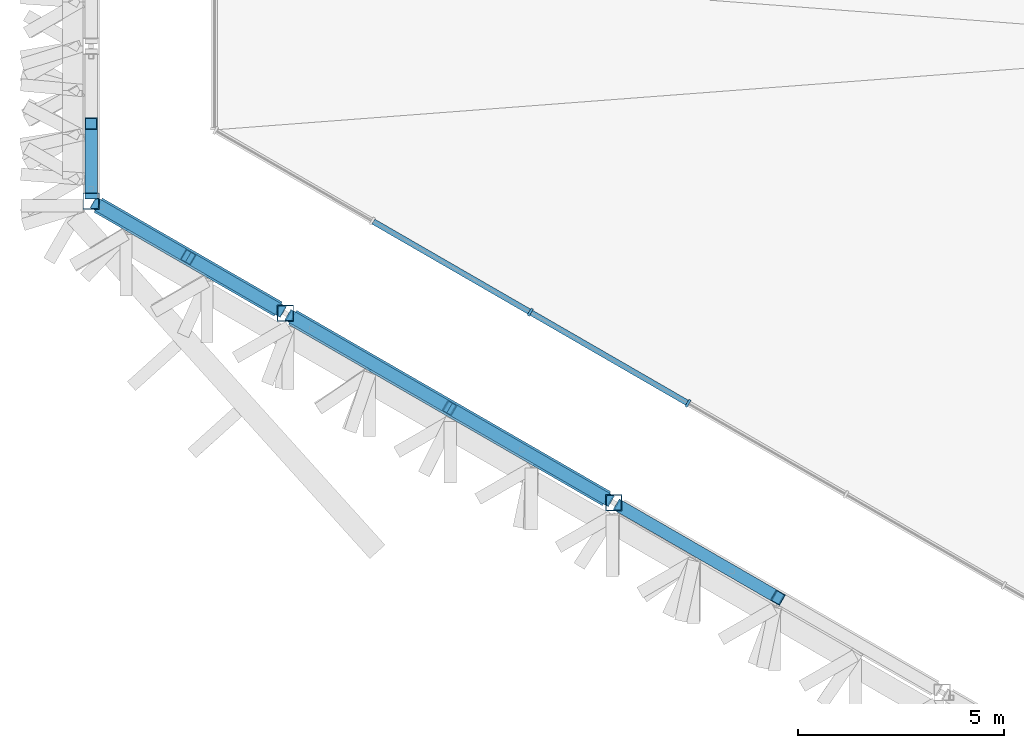
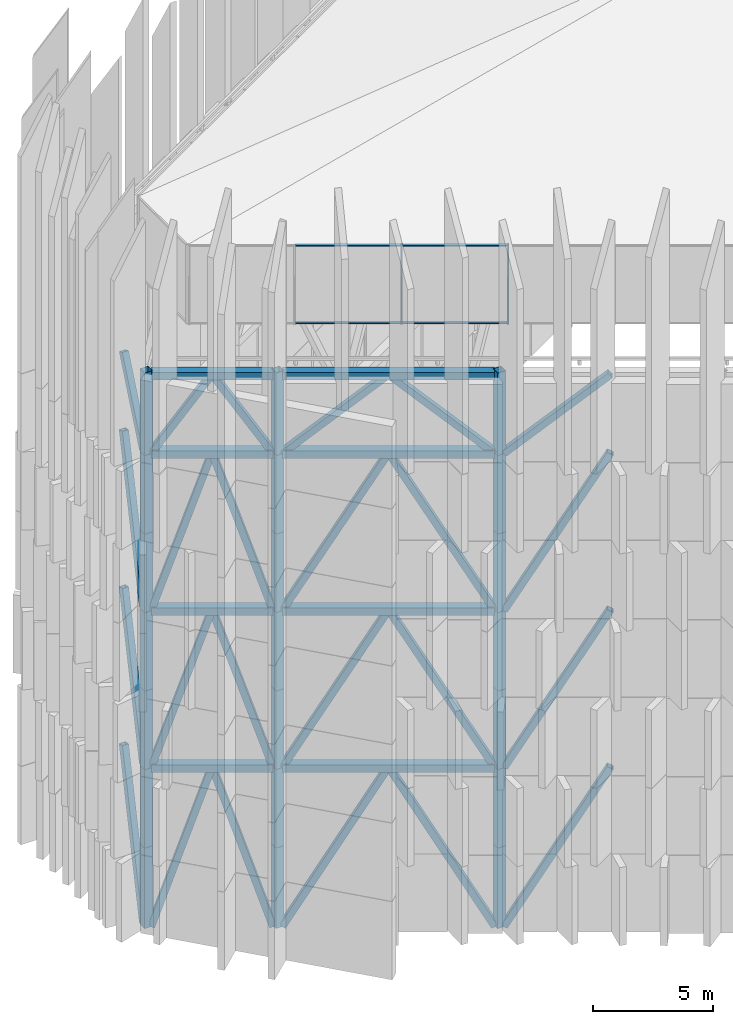
# One storey, part 3 of 45: 59 members, 1 element without a shape of its own.
"""IFC4 building model written with IfcOpenShell, lengths in metres."""

from ifc_helpers import new_model, si_unit, direction, frame, origin, origin_2d, place, context, subcontext, project, spatial, rectangle, hollow_rectangle, extrude, material, layer, layer_set, material_profile, profile_set, type_object, element, aggregate, save


model = new_model("IFC4")

# Units and contexts
model_context = context("Model", 3, precision=1e-05, world=origin(), true_north=direction((0.0, 1.0)))
body_context = subcontext(model_context, "Body", "Model", "MODEL_VIEW")
ifc_project = project(units=[si_unit("LENGTHUNIT", "METRE"), si_unit("AREAUNIT", "SQUARE_METRE"), si_unit("VOLUMEUNIT", "CUBIC_METRE"), si_unit("PLANEANGLEUNIT", "RADIAN"), si_unit("MASSUNIT", "GRAM", prefix="KILO")], contexts=[model_context])

# Site, building, storey
site_placement = place(None, origin())
site = spatial("IfcSite", under=ifc_project, at=site_placement, CompositionType="ELEMENT")
building_placement = place(site_placement, origin())
building = spatial("IfcBuilding", under=site, at=building_placement, Name="Jabali Bay Hotel Tower and Convention Centre", CompositionType="ELEMENT")
storey_placement = place(building_placement, frame((0.0, 0.0, 322.39990234375)))
storey = spatial("IfcBuildingStorey", under=building, at=storey_placement, Name="Crown", CompositionType="ELEMENT", Elevation=322.39990234375)

# Curtain wall, members
ifc_material_1 = material(Name="Aluminium and glass", Category="aluminium")
ifc_layer = layer(ifc_material_1, 0.199951171875)
ifc_layer_set = layer_set([ifc_layer], Name="Aluminium and glass")
curtain_wall_type = type_object("IfcCurtainWallType", Name="CW6 curtain wall", PredefinedType="NOTDEFINED", material=ifc_layer_set)
curtain_wall_placement = place(storey_placement, origin())
curtain_wall = element("IfcCurtainWall", 1, at=curtain_wall_placement, inside=storey, type_object=curtain_wall_type, Name="CW6 lantern glazing 5", PredefinedType="NOTDEFINED")
ifc_material_2 = material(Name="Aluminium", Category="aluminium")
ifc_material_profile_1 = material_profile(ifc_material_2, rectangle(XDim=0.199951171875, YDim=0.06005859375, at=origin_2d()), Name="CW6 mullion 60 x 200")
ifc_profile_set_1 = profile_set([ifc_material_profile_1], Name="Aluminium")
member_type_1 = type_object("IfcMemberType", Name="CW6 mullion 60 x 200", PredefinedType="MULLION", material=ifc_profile_set_1)
member_1_placement = place(storey_placement, frame((55.90576171875, 73.53173828125, 28.35009765625), z_axis=(0.0, 0.0, 1.0), x_axis=(0.500000005124, 0.866025400826, 0.0)))
member_1 = element("IfcMember", 2, at=member_1_placement, type_object=member_type_1, Name="CW6 mullion 3", PredefinedType="MULLION", context=body_context, shape_type="SweptSolid", body=[
    extrude(rectangle(XDim=0.199951171875, YDim=0.06005859375, at=origin_2d()), origin(), (0.0, 0.0, 1.0), 4.0),
])
member_2_placement = place(storey_placement, frame((59.74560546875, 71.314697265625, 28.35009765625), z_axis=(0.0, 0.0, 1.0), x_axis=(0.500000005124, 0.866025400826, 0.0)))
member_2 = element("IfcMember", 3, at=member_2_placement, type_object=member_type_1, Name="CW6 mullion 4", PredefinedType="MULLION", context=body_context, shape_type="SweptSolid", body=[
    extrude(rectangle(XDim=0.199951171875, YDim=0.06005859375, at=origin_2d()), origin(), (0.0, 0.0, 1.0), 4.0),
])
ifc_material_profile_2 = material_profile(ifc_material_2, rectangle(XDim=0.139892578125, YDim=0.06005859375, at=origin_2d()), Name="CW6 transom 60 x 140")
ifc_profile_set_2 = profile_set([ifc_material_profile_2], Name="Aluminium")
member_type_2 = type_object("IfcMemberType", Name="CW6 transom 60 x 140", PredefinedType="USERDEFINED", material=ifc_profile_set_2)
member_3_placement = place(storey_placement, frame((52.091796875, 75.733642578125, 28.380126953125), z_axis=(0.866053602686, -0.499951154889, 0.0), x_axis=(0.499951154889, 0.866053602686, 0.0)))
member_3 = element("IfcMember", 4, at=member_3_placement, type_object=member_type_2, Name="CW6 transom 2.1", ObjectType="TRANSOM", PredefinedType="USERDEFINED", context=body_context, shape_type="SweptSolid", body=[
    extrude(rectangle(XDim=0.139892578125, YDim=0.06005859375, at=origin_2d()), origin(), (0.0, 0.0, 1.0), 4.3740234375),
])
member_4_placement = place(storey_placement, frame((52.091796875, 75.733642578125, 32.320068359375), z_axis=(0.866053602686, -0.499951154889, 0.0), x_axis=(0.499951154889, 0.866053602686, 0.0)))
member_4 = element("IfcMember", 5, at=member_4_placement, type_object=member_type_2, Name="CW6 transom 2.2", ObjectType="TRANSOM", PredefinedType="USERDEFINED", context=body_context, shape_type="SweptSolid", body=[
    extrude(rectangle(XDim=0.139892578125, YDim=0.06005859375, at=origin_2d()), origin(), (0.0, 0.0, 1.0), 4.3740234375),
])
member_5_placement = place(storey_placement, frame((55.931884765625, 73.516845703125, 28.380126953125), z_axis=(0.866015480101, -0.500017187931, 0.0), x_axis=(0.500017187931, 0.866015480101, 0.0)))
member_5 = element("IfcMember", 6, at=member_5_placement, type_object=member_type_2, Name="CW6 transom 3.1", ObjectType="TRANSOM", PredefinedType="USERDEFINED", context=body_context, shape_type="SweptSolid", body=[
    extrude(rectangle(XDim=0.139892578125, YDim=0.06005859375, at=origin_2d()), origin(), (0.0, 0.0, 1.0), 4.373779296875),
])
member_6_placement = place(storey_placement, frame((55.931884765625, 73.516845703125, 32.320068359375), z_axis=(0.866015480101, -0.500017187931, 0.0), x_axis=(0.500017187931, 0.866015480101, 0.0)))
member_6 = element("IfcMember", 7, at=member_6_placement, type_object=member_type_2, Name="CW6 transom 3.2", ObjectType="TRANSOM", PredefinedType="USERDEFINED", context=body_context, shape_type="SweptSolid", body=[
    extrude(rectangle(XDim=0.139892578125, YDim=0.06005859375, at=origin_2d()), origin(), (0.0, 0.0, 1.0), 4.373779296875),
])
aggregate(curtain_wall, [member_1, member_2, member_3, member_4, member_5, member_6])

# Members
ifc_material_3 = material(Name="Steel Q420GJC", Category="steel")
ifc_material_profile_3 = material_profile(ifc_material_3, hollow_rectangle(XDim=0.300048828125, YDim=0.300048828125, WallThickness=0.01611328125, at=origin_2d()), Name="Crown frame brace 300x300x16")
ifc_profile_set_3 = profile_set([ifc_material_profile_3], Name="Steel Q420GJC")
member_type_3 = type_object("IfcMemberType", Name="Crown frame brace 300x300x16", PredefinedType="USERDEFINED", material=ifc_profile_set_3)
member_7_placement = place(storey_placement, frame((45.225830078125, 76.43359375, -0.099853515625), z_axis=(0.0, 0.204167092967, 0.978936054168), x_axis=(-1.0, 0.0, 0.0)))
element("IfcMember", 8, at=member_7_placement, inside=storey, type_object=member_type_3, Name="Crown brace 1 M0-V4r", ObjectType="CROWN FRAME", PredefinedType="USERDEFINED", context=body_context, shape_type="SweptSolid", body=[
    extrude(hollow_rectangle(XDim=0.300048828125, YDim=0.300048828125, WallThickness=0.01611328125, at=origin_2d()), origin(), (0.0, 0.0, 1.0), 8.244873046875),
])
for number, where, z_axis, x_axis, name in (
    (9, (45.399169921875, 76.1337890625, -0.099853515625), (0.258862256531, -0.14946351074, 0.954280352465), (0.500023377642, 0.866011906276, 0.0), "Crown brace 1 V4-F2.1l"),
    (10, (49.778076171875, 73.60546875, -0.099853515625), (-0.258862256531, 0.14946351074, 0.954280352465), (-0.500023377642, -0.866011906276, 0.0), "Crown brace 1 V4-F2.1r"),
):
    element("IfcMember", number, at=place(storey_placement, frame(where, z_axis=z_axis, x_axis=x_axis)), inside=storey, type_object=member_type_3, Name=name, ObjectType="CROWN FRAME", PredefinedType="USERDEFINED", context=body_context, shape_type="SweptSolid", body=[
        extrude(hollow_rectangle(XDim=0.300048828125, YDim=0.300048828125, WallThickness=0.01611328125, at=origin_2d()), origin(), (0.0, 0.0, 1.0), 8.4580078125),
    ])
for number, where, z_axis, x_axis, name in (
    (11, (50.12451171875, 73.405517578125, -0.099853515625), (0.415334554415, -0.239810052348, 0.877489798631), (0.50002585838, 0.866010473927, 0.0), "Crown brace 1 F2.1-F2.2l"),
    (12, (57.765380859375, 68.994140625, -0.099853515625), (-0.41535916138, 0.239782392735, 0.877485709964), (-0.499960387168, -0.866048273056, 0.0), "Crown brace 1 F2.1-F2.2r"),
    (13, (58.111572265625, 68.794189453125, -0.099853515625), (0.415356517765, -0.239807408653, 0.877480125077), (0.5000018942, 0.866024310165, 0.0), "Crown brace 1 F2.2-F2.3l"),
):
    element("IfcMember", number, at=place(storey_placement, frame(where, z_axis=z_axis, x_axis=x_axis)), inside=storey, type_object=member_type_3, Name=name, ObjectType="CROWN FRAME", PredefinedType="USERDEFINED", context=body_context, shape_type="SweptSolid", body=[
        extrude(hollow_rectangle(XDim=0.300048828125, YDim=0.300048828125, WallThickness=0.01611328125, at=origin_2d()), origin(), (0.0, 0.0, 1.0), 9.1982421875),
    ])
member_8_placement = place(storey_placement, frame((45.225830078125, 76.43359375, 7.971435546875), z_axis=(0.0, 0.20661604233, 0.9784221027), x_axis=(-1.0, 0.0, 0.0)))
element("IfcMember", 14, at=member_8_placement, inside=storey, type_object=member_type_3, Name="Crown brace 2 M0-V4r", ObjectType="CROWN FRAME", PredefinedType="USERDEFINED", context=body_context, shape_type="SweptSolid", body=[
    extrude(hollow_rectangle(XDim=0.300048828125, YDim=0.300048828125, WallThickness=0.01611328125, at=origin_2d()), origin(), (0.0, 0.0, 1.0), 8.147216796875),
])
for number, where, z_axis, x_axis, name in (
    (15, (45.399169921875, 76.1337890625, 7.971435546875), (0.261810179426, -0.151165600922, 0.953207422887), (0.500023377642, 0.866011906276, 0.0), "Crown brace 2 V4-F2.1l"),
    (16, (49.778076171875, 73.60546875, 7.971435546875), (-0.261810179426, 0.151165600922, 0.953207422887), (-0.500023377642, -0.866011906276, 0.0), "Crown brace 2 V4-F2.1r"),
):
    element("IfcMember", number, at=place(storey_placement, frame(where, z_axis=z_axis, x_axis=x_axis)), inside=storey, type_object=member_type_3, Name=name, ObjectType="CROWN FRAME", PredefinedType="USERDEFINED", context=body_context, shape_type="SweptSolid", body=[
        extrude(hollow_rectangle(XDim=0.300048828125, YDim=0.300048828125, WallThickness=0.01611328125, at=origin_2d()), origin(), (0.0, 0.0, 1.0), 8.36279296875),
    ])
for number, where, z_axis, x_axis, name in (
    (17, (50.12451171875, 73.405517578125, 7.971435546875), (0.419323234848, -0.242113076869, 0.874956731916), (0.50002585838, 0.866010473927, 0.0), "Crown brace 2 F2.1-F2.2l"),
    (18, (57.765380859375, 68.994140625, 7.971435546875), (-0.419348040417, 0.242085129857, 0.874952576372), (-0.499960387168, -0.866048273056, 0.0), "Crown brace 2 F2.1-F2.2r"),
):
    element("IfcMember", number, at=place(storey_placement, frame(where, z_axis=z_axis, x_axis=x_axis)), inside=storey, type_object=member_type_3, Name=name, ObjectType="CROWN FRAME", PredefinedType="USERDEFINED", context=body_context, shape_type="SweptSolid", body=[
        extrude(hollow_rectangle(XDim=0.300048828125, YDim=0.300048828125, WallThickness=0.01611328125, at=origin_2d()), origin(), (0.0, 0.0, 1.0), 9.110595703125),
    ])
member_9_placement = place(storey_placement, frame((58.111572265625, 68.794189453125, 7.971435546875), z_axis=(0.419345319905, -0.242110356275, 0.874946900136), x_axis=(0.5000018942, 0.866024310165, 0.0)))
element("IfcMember", 19, at=member_9_placement, inside=storey, type_object=member_type_3, Name="Crown brace 2 F2.2-F2.3l", ObjectType="CROWN FRAME", PredefinedType="USERDEFINED", context=body_context, shape_type="SweptSolid", body=[
    extrude(hollow_rectangle(XDim=0.300048828125, YDim=0.300048828125, WallThickness=0.01611328125, at=origin_2d()), origin(), (0.0, 0.0, 1.0), 9.11083984375),
])
member_10_placement = place(storey_placement, frame((45.225830078125, 76.43359375, 15.94287109375), z_axis=(0.0, 0.20661604233, 0.9784221027), x_axis=(-1.0, 0.0, 0.0)))
element("IfcMember", 20, at=member_10_placement, inside=storey, type_object=member_type_3, Name="Crown brace 3 M0-V4r", ObjectType="CROWN FRAME", PredefinedType="USERDEFINED", context=body_context, shape_type="SweptSolid", body=[
    extrude(hollow_rectangle(XDim=0.300048828125, YDim=0.300048828125, WallThickness=0.01611328125, at=origin_2d()), origin(), (0.0, 0.0, 1.0), 8.147216796875),
])
for number, where, z_axis, x_axis, name in (
    (21, (45.399169921875, 76.1337890625, 15.94287109375), (0.261810179426, -0.151165600922, 0.953207422887), (0.500023377642, 0.866011906276, 0.0), "Crown brace 3 V4-F2.1l"),
    (22, (49.778076171875, 73.60546875, 15.94287109375), (-0.261810179426, 0.151165600922, 0.953207422887), (-0.500023377642, -0.866011906276, 0.0), "Crown brace 3 V4-F2.1r"),
):
    element("IfcMember", number, at=place(storey_placement, frame(where, z_axis=z_axis, x_axis=x_axis)), inside=storey, type_object=member_type_3, Name=name, ObjectType="CROWN FRAME", PredefinedType="USERDEFINED", context=body_context, shape_type="SweptSolid", body=[
        extrude(hollow_rectangle(XDim=0.300048828125, YDim=0.300048828125, WallThickness=0.01611328125, at=origin_2d()), origin(), (0.0, 0.0, 1.0), 8.36279296875),
    ])
for number, where, z_axis, x_axis, name in (
    (23, (50.12451171875, 73.405517578125, 15.94287109375), (0.419323234848, -0.242113076869, 0.874956731916), (0.50002585838, 0.866010473927, 0.0), "Crown brace 3 F2.1-F2.2l"),
    (24, (57.765380859375, 68.994140625, 15.94287109375), (-0.419348040417, 0.242085129857, 0.874952576372), (-0.499960387168, -0.866048273056, 0.0), "Crown brace 3 F2.1-F2.2r"),
):
    element("IfcMember", number, at=place(storey_placement, frame(where, z_axis=z_axis, x_axis=x_axis)), inside=storey, type_object=member_type_3, Name=name, ObjectType="CROWN FRAME", PredefinedType="USERDEFINED", context=body_context, shape_type="SweptSolid", body=[
        extrude(hollow_rectangle(XDim=0.300048828125, YDim=0.300048828125, WallThickness=0.01611328125, at=origin_2d()), origin(), (0.0, 0.0, 1.0), 9.110595703125),
    ])
member_11_placement = place(storey_placement, frame((58.111572265625, 68.794189453125, 15.94287109375), z_axis=(0.419345319905, -0.242110356275, 0.874946900136), x_axis=(0.5000018942, 0.866024310165, 0.0)))
element("IfcMember", 25, at=member_11_placement, inside=storey, type_object=member_type_3, Name="Crown brace 3 F2.2-F2.3l", ObjectType="CROWN FRAME", PredefinedType="USERDEFINED", context=body_context, shape_type="SweptSolid", body=[
    extrude(hollow_rectangle(XDim=0.300048828125, YDim=0.300048828125, WallThickness=0.01611328125, at=origin_2d()), origin(), (0.0, 0.0, 1.0), 9.11083984375),
])
member_12_placement = place(storey_placement, frame((45.225830078125, 76.43359375, 23.914306640625), z_axis=(0.0, 0.389058235371, 0.921213161809), x_axis=(-1.0, 0.0, 0.0)))
element("IfcMember", 26, at=member_12_placement, inside=storey, type_object=member_type_3, Name="Crown brace 4 M0-V4r", ObjectType="CROWN FRAME", PredefinedType="USERDEFINED", context=body_context, shape_type="SweptSolid", body=[
    extrude(hollow_rectangle(XDim=0.300048828125, YDim=0.300048828125, WallThickness=0.01611328125, at=origin_2d()), origin(), (0.0, 0.0, 1.0), 4.32666015625),
])
for number, where, z_axis, x_axis, name in (
    (27, (45.399169921875, 76.1337890625, 23.914306640625), (0.463863802529, -0.267828587142, 0.844451431767), (0.500023377642, 0.866011906276, 0.0), "Crown brace 4 V4-F2.1l"),
    (28, (49.778076171875, 73.60546875, 23.914306640625), (-0.463863802529, 0.267828587142, 0.844451431767), (-0.500023377642, -0.866011906276, 0.0), "Crown brace 4 V4-F2.1r"),
):
    element("IfcMember", number, at=place(storey_placement, frame(where, z_axis=z_axis, x_axis=x_axis)), inside=storey, type_object=member_type_3, Name=name, ObjectType="CROWN FRAME", PredefinedType="USERDEFINED", context=body_context, shape_type="SweptSolid", body=[
        extrude(hollow_rectangle(XDim=0.300048828125, YDim=0.300048828125, WallThickness=0.01611328125, at=origin_2d()), origin(), (0.0, 0.0, 1.0), 4.719970703125),
    ])
for number, where, z_axis, x_axis, name in (
    (29, (50.12451171875, 73.405517578125, 23.914306640625), (0.642570411062, -0.371013782205, 0.67041184375), (0.50002585838, 0.866010473927, 0.0), "Crown brace 4 F2.1-F2.2l"),
    (30, (57.765380859375, 68.994140625, 23.914306640625), (-0.642604308258, 0.370968580791, 0.670404366837), (-0.499960387168, -0.866048273056, 0.0), "Crown brace 4 F2.1-F2.2r"),
):
    element("IfcMember", number, at=place(storey_placement, frame(where, z_axis=z_axis, x_axis=x_axis)), inside=storey, type_object=member_type_3, Name=name, ObjectType="CROWN FRAME", PredefinedType="USERDEFINED", context=body_context, shape_type="SweptSolid", body=[
        extrude(hollow_rectangle(XDim=0.300048828125, YDim=0.300048828125, WallThickness=0.01611328125, at=origin_2d()), origin(), (0.0, 0.0, 1.0), 5.9453125),
    ])
member_13_placement = place(storey_placement, frame((58.111572265625, 68.794189453125, 23.914306640625), z_axis=(0.642594518952, -0.371003992506, 0.67039415403), x_axis=(0.5000018942, 0.866024310165, 0.0)))
element("IfcMember", 31, at=member_13_placement, inside=storey, type_object=member_type_3, Name="Crown brace 4 F2.2-F2.3l", ObjectType="CROWN FRAME", PredefinedType="USERDEFINED", context=body_context, shape_type="SweptSolid", body=[
    extrude(hollow_rectangle(XDim=0.300048828125, YDim=0.300048828125, WallThickness=0.01611328125, at=origin_2d()), origin(), (0.0, 0.0, 1.0), 5.945556640625),
])
ifc_material_profile_4 = material_profile(ifc_material_3, hollow_rectangle(XDim=0.39990234375, YDim=0.39990234375, WallThickness=0.02001953125, at=origin_2d()), Name="Crown frame member 400x400x20")
ifc_profile_set_4 = profile_set([ifc_material_profile_4], Name="Steel Q420GJC")
member_type_4 = type_object("IfcMemberType", Name="Crown frame member 400x400x20", PredefinedType="USERDEFINED", material=ifc_profile_set_4)
for number, where, z_axis, x_axis, name in (
    (32, (45.225830078125, 76.233642578125, -0.099853515625), (0.0, 0.0, 1.0), (1.0, 0.0, 0.0), "Crown post V4 1"),
    (33, (49.951416015625, 73.50537109375, -0.099853515625), (0.0, 0.0, 1.0), (1.0, 0.0, 0.0), "Crown post F2.1 1"),
    (34, (57.9384765625, 68.89404296875, -0.099853515625), (0.0, 0.0, 1.0), (1.0, 0.0, 0.0), "Crown post F2.2 1"),
):
    element("IfcMember", number, at=place(storey_placement, frame(where, z_axis=z_axis, x_axis=x_axis)), inside=storey, type_object=member_type_4, Name=name, ObjectType="CROWN FRAME", PredefinedType="USERDEFINED", context=body_context, shape_type="SweptSolid", body=[
        extrude(hollow_rectangle(XDim=0.39990234375, YDim=0.39990234375, WallThickness=0.02001953125, at=origin_2d()), origin(), (0.0, 0.0, 1.0), 4.085693359375),
    ])
for number, where, z_axis, x_axis, name in (
    (35, (45.225830078125, 76.233642578125, 3.98583984375), (0.0, 0.0, 1.0), (1.0, 0.0, 0.0), "Crown post V4 2"),
    (36, (49.951416015625, 73.50537109375, 3.98583984375), (0.0, 0.0, 1.0), (1.0, 0.0, 0.0), "Crown post F2.1 2"),
    (37, (57.9384765625, 68.89404296875, 3.98583984375), (0.0, 0.0, 1.0), (1.0, 0.0, 0.0), "Crown post F2.2 2"),
):
    element("IfcMember", number, at=place(storey_placement, frame(where, z_axis=z_axis, x_axis=x_axis)), inside=storey, type_object=member_type_4, Name=name, ObjectType="CROWN FRAME", PredefinedType="USERDEFINED", context=body_context, shape_type="SweptSolid", body=[
        extrude(hollow_rectangle(XDim=0.39990234375, YDim=0.39990234375, WallThickness=0.02001953125, at=origin_2d()), origin(), (0.0, 0.0, 1.0), 3.985595703125),
    ])
for number, where, z_axis, x_axis, name in (
    (38, (45.225830078125, 76.233642578125, 7.971435546875), (0.0, 0.0, 1.0), (1.0, 0.0, 0.0), "Crown post V4 3"),
    (39, (49.951416015625, 73.50537109375, 7.971435546875), (0.0, 0.0, 1.0), (1.0, 0.0, 0.0), "Crown post F2.1 3"),
    (40, (57.9384765625, 68.89404296875, 7.971435546875), (0.0, 0.0, 1.0), (1.0, 0.0, 0.0), "Crown post F2.2 3"),
):
    element("IfcMember", number, at=place(storey_placement, frame(where, z_axis=z_axis, x_axis=x_axis)), inside=storey, type_object=member_type_4, Name=name, ObjectType="CROWN FRAME", PredefinedType="USERDEFINED", context=body_context, shape_type="SweptSolid", body=[
        extrude(hollow_rectangle(XDim=0.39990234375, YDim=0.39990234375, WallThickness=0.02001953125, at=origin_2d()), origin(), (0.0, 0.0, 1.0), 3.98583984375),
    ])
for number, where, z_axis, x_axis, name in (
    (41, (45.225830078125, 76.233642578125, 11.957275390625), (0.0, 0.0, 1.0), (1.0, 0.0, 0.0), "Crown post V4 4"),
    (42, (49.951416015625, 73.50537109375, 11.957275390625), (0.0, 0.0, 1.0), (1.0, 0.0, 0.0), "Crown post F2.1 4"),
    (43, (57.9384765625, 68.89404296875, 11.957275390625), (0.0, 0.0, 1.0), (1.0, 0.0, 0.0), "Crown post F2.2 4"),
):
    element("IfcMember", number, at=place(storey_placement, frame(where, z_axis=z_axis, x_axis=x_axis)), inside=storey, type_object=member_type_4, Name=name, ObjectType="CROWN FRAME", PredefinedType="USERDEFINED", context=body_context, shape_type="SweptSolid", body=[
        extrude(hollow_rectangle(XDim=0.39990234375, YDim=0.39990234375, WallThickness=0.02001953125, at=origin_2d()), origin(), (0.0, 0.0, 1.0), 3.985595703125),
    ])
for number, where, z_axis, x_axis, name in (
    (44, (45.225830078125, 76.233642578125, 15.94287109375), (0.0, 0.0, 1.0), (1.0, 0.0, 0.0), "Crown post V4 5"),
    (45, (49.951416015625, 73.50537109375, 15.94287109375), (0.0, 0.0, 1.0), (1.0, 0.0, 0.0), "Crown post F2.1 5"),
    (46, (57.9384765625, 68.89404296875, 15.94287109375), (0.0, 0.0, 1.0), (1.0, 0.0, 0.0), "Crown post F2.2 5"),
):
    element("IfcMember", number, at=place(storey_placement, frame(where, z_axis=z_axis, x_axis=x_axis)), inside=storey, type_object=member_type_4, Name=name, ObjectType="CROWN FRAME", PredefinedType="USERDEFINED", context=body_context, shape_type="SweptSolid", body=[
        extrude(hollow_rectangle(XDim=0.39990234375, YDim=0.39990234375, WallThickness=0.02001953125, at=origin_2d()), origin(), (0.0, 0.0, 1.0), 3.98583984375),
    ])
for number, where, z_axis, x_axis, name in (
    (47, (45.225830078125, 76.233642578125, 19.9287109375), (0.0, 0.0, 1.0), (1.0, 0.0, 0.0), "Crown post V4 6"),
    (48, (49.951416015625, 73.50537109375, 19.9287109375), (0.0, 0.0, 1.0), (1.0, 0.0, 0.0), "Crown post F2.1 6"),
    (49, (57.9384765625, 68.89404296875, 19.9287109375), (0.0, 0.0, 1.0), (1.0, 0.0, 0.0), "Crown post F2.2 6"),
):
    element("IfcMember", number, at=place(storey_placement, frame(where, z_axis=z_axis, x_axis=x_axis)), inside=storey, type_object=member_type_4, Name=name, ObjectType="CROWN FRAME", PredefinedType="USERDEFINED", context=body_context, shape_type="SweptSolid", body=[
        extrude(hollow_rectangle(XDim=0.39990234375, YDim=0.39990234375, WallThickness=0.02001953125, at=origin_2d()), origin(), (0.0, 0.0, 1.0), 3.985595703125),
    ])
for number, where, z_axis, x_axis, name in (
    (50, (45.225830078125, 76.233642578125, 23.914306640625), (0.0, 0.0, 1.0), (1.0, 0.0, 0.0), "Crown post V4 7"),
    (51, (49.951416015625, 73.50537109375, 23.914306640625), (0.0, 0.0, 1.0), (1.0, 0.0, 0.0), "Crown post F2.1 7"),
    (52, (57.9384765625, 68.89404296875, 23.914306640625), (0.0, 0.0, 1.0), (1.0, 0.0, 0.0), "Crown post F2.2 7"),
):
    element("IfcMember", number, at=place(storey_placement, frame(where, z_axis=z_axis, x_axis=x_axis)), inside=storey, type_object=member_type_4, Name=name, ObjectType="CROWN FRAME", PredefinedType="USERDEFINED", context=body_context, shape_type="SweptSolid", body=[
        extrude(hollow_rectangle(XDim=0.39990234375, YDim=0.39990234375, WallThickness=0.02001953125, at=origin_2d()), origin(), (0.0, 0.0, 1.0), 4.185791015625),
    ])
member_14_placement = place(storey_placement, frame((45.399169921875, 76.1337890625, 7.971435546875), z_axis=(0.866011906276, -0.500023377642, 0.0), x_axis=(0.500023377642, 0.866011906276, 0.0)))
element("IfcMember", 53, at=member_14_placement, inside=storey, type_object=member_type_4, Name="Crown ring 330.371 V4-F2.1", ObjectType="CROWN FRAME", PredefinedType="USERDEFINED", context=body_context, shape_type="SweptSolid", body=[
    extrude(hollow_rectangle(XDim=0.39990234375, YDim=0.39990234375, WallThickness=0.02001953125, at=origin_2d()), origin(), (0.0, 0.0, 1.0), 5.056396484375),
])
member_15_placement = place(storey_placement, frame((50.12451171875, 73.405517578125, 7.971435546875), z_axis=(0.866029374302, -0.499993122799, 0.0), x_axis=(0.499993122799, 0.866029374302, 0.0)))
element("IfcMember", 54, at=member_15_placement, inside=storey, type_object=member_type_4, Name="Crown ring 330.371 F2.1-F2.2", ObjectType="CROWN FRAME", PredefinedType="USERDEFINED", context=body_context, shape_type="SweptSolid", body=[
    extrude(hollow_rectangle(XDim=0.39990234375, YDim=0.39990234375, WallThickness=0.02001953125, at=origin_2d()), origin(), (0.0, 0.0, 1.0), 8.82275390625),
])
member_16_placement = place(storey_placement, frame((45.399169921875, 76.1337890625, 15.94287109375), z_axis=(0.866011906276, -0.500023377642, 0.0), x_axis=(0.500023377642, 0.866011906276, 0.0)))
element("IfcMember", 55, at=member_16_placement, inside=storey, type_object=member_type_4, Name="Crown ring 338.343 V4-F2.1", ObjectType="CROWN FRAME", PredefinedType="USERDEFINED", context=body_context, shape_type="SweptSolid", body=[
    extrude(hollow_rectangle(XDim=0.39990234375, YDim=0.39990234375, WallThickness=0.02001953125, at=origin_2d()), origin(), (0.0, 0.0, 1.0), 5.056396484375),
])
member_17_placement = place(storey_placement, frame((50.12451171875, 73.405517578125, 15.94287109375), z_axis=(0.866029374302, -0.499993122799, 0.0), x_axis=(0.499993122799, 0.866029374302, 0.0)))
element("IfcMember", 56, at=member_17_placement, inside=storey, type_object=member_type_4, Name="Crown ring 338.343 F2.1-F2.2", ObjectType="CROWN FRAME", PredefinedType="USERDEFINED", context=body_context, shape_type="SweptSolid", body=[
    extrude(hollow_rectangle(XDim=0.39990234375, YDim=0.39990234375, WallThickness=0.02001953125, at=origin_2d()), origin(), (0.0, 0.0, 1.0), 8.82275390625),
])
member_18_placement = place(storey_placement, frame((45.399169921875, 76.1337890625, 23.914306640625), z_axis=(0.866011906276, -0.500023377642, 0.0), x_axis=(0.500023377642, 0.866011906276, 0.0)))
element("IfcMember", 57, at=member_18_placement, inside=storey, type_object=member_type_4, Name="Crown ring 346.314 V4-F2.1", ObjectType="CROWN FRAME", PredefinedType="USERDEFINED", context=body_context, shape_type="SweptSolid", body=[
    extrude(hollow_rectangle(XDim=0.39990234375, YDim=0.39990234375, WallThickness=0.02001953125, at=origin_2d()), origin(), (0.0, 0.0, 1.0), 5.056396484375),
])
member_19_placement = place(storey_placement, frame((50.12451171875, 73.405517578125, 23.914306640625), z_axis=(0.866029374302, -0.499993122799, 0.0), x_axis=(0.499993122799, 0.866029374302, 0.0)))
element("IfcMember", 58, at=member_19_placement, inside=storey, type_object=member_type_4, Name="Crown ring 346.314 F2.1-F2.2", ObjectType="CROWN FRAME", PredefinedType="USERDEFINED", context=body_context, shape_type="SweptSolid", body=[
    extrude(hollow_rectangle(XDim=0.39990234375, YDim=0.39990234375, WallThickness=0.02001953125, at=origin_2d()), origin(), (0.0, 0.0, 1.0), 8.82275390625),
])
member_20_placement = place(storey_placement, frame((45.399169921875, 76.1337890625, 27.900146484375), z_axis=(0.866011906276, -0.500023377642, 0.0), x_axis=(0.500023377642, 0.866011906276, 0.0)))
element("IfcMember", 59, at=member_20_placement, inside=storey, type_object=member_type_4, Name="Crown ring 350.3 V4-F2.1", ObjectType="CROWN FRAME", PredefinedType="USERDEFINED", context=body_context, shape_type="SweptSolid", body=[
    extrude(hollow_rectangle(XDim=0.39990234375, YDim=0.39990234375, WallThickness=0.02001953125, at=origin_2d()), origin(), (0.0, 0.0, 1.0), 5.056396484375),
])
member_21_placement = place(storey_placement, frame((50.12451171875, 73.405517578125, 27.900146484375), z_axis=(0.866029374302, -0.499993122799, 0.0), x_axis=(0.499993122799, 0.866029374302, 0.0)))
element("IfcMember", 60, at=member_21_placement, inside=storey, type_object=member_type_4, Name="Crown ring 350.3 F2.1-F2.2", ObjectType="CROWN FRAME", PredefinedType="USERDEFINED", context=body_context, shape_type="SweptSolid", body=[
    extrude(hollow_rectangle(XDim=0.39990234375, YDim=0.39990234375, WallThickness=0.02001953125, at=origin_2d()), origin(), (0.0, 0.0, 1.0), 8.82275390625),
])

save(model, "model.ifc")
